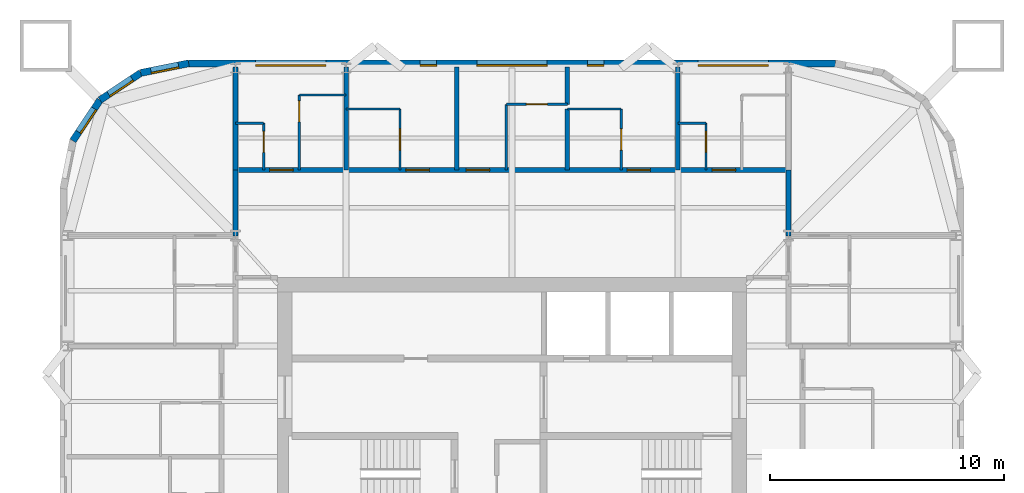
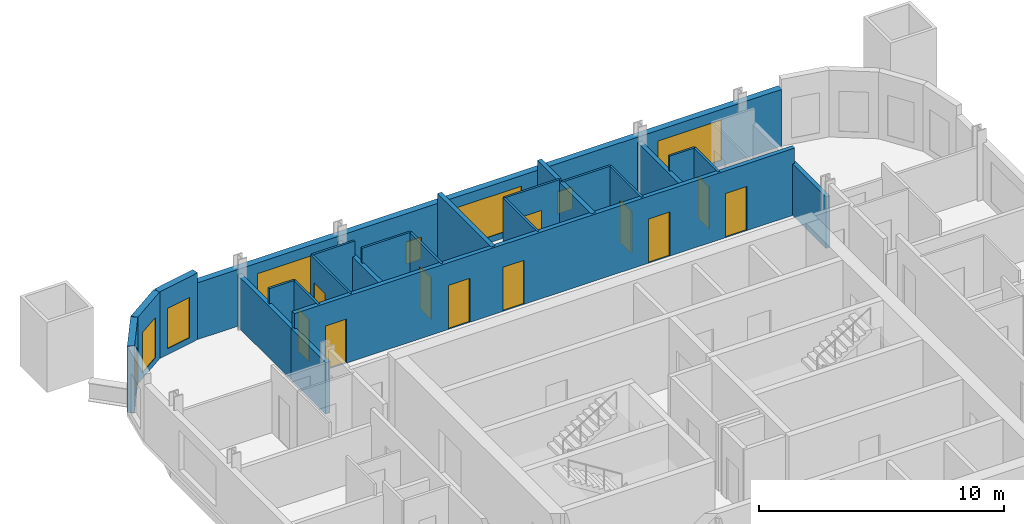
# One storey, part 7 of 9: 25 walls, 11 doors, 8 windows, 19 openings.
"""IFC4 building model written with IfcOpenShell, lengths in metres."""

from ifc_helpers import new_model, si_unit, direction, frame, frame_2d, origin, place, context, subcontext, project, spatial, rectangle, extrude, material, layer, layer_set, type_object, element, fill, save


model = new_model("IFC4")

# Units and contexts
model_context = context("Model", 3, precision=1e-05, world=origin(), true_north=direction((0.0, 1.0)))
body_context = subcontext(model_context, "Body", "Model", "MODEL_VIEW")
ifc_project = project(units=[si_unit("LENGTHUNIT", "METRE"), si_unit("AREAUNIT", "SQUARE_METRE"), si_unit("VOLUMEUNIT", "CUBIC_METRE"), si_unit("PLANEANGLEUNIT", "RADIAN"), si_unit("MASSUNIT", "GRAM", prefix="KILO")], contexts=[model_context])

# Site, building, storey
site_placement = place(None, origin())
site = spatial("IfcSite", under=ifc_project, at=site_placement, CompositionType="ELEMENT")
building_placement = place(site_placement, origin())
building = spatial("IfcBuilding", under=site, at=building_placement, Name="Turquesa Mirador Hotel Tower", CompositionType="ELEMENT")
storey_placement = place(building_placement, frame((0.0, 0.0, 182.800048828125)))
storey = spatial("IfcBuildingStorey", under=building, at=storey_placement, Name="L49", CompositionType="ELEMENT", Elevation=182.800048828125)

# Walls
ifc_material_1 = material(Name="Gypsum board on steel studs", Category="steel")
ifc_layer_1 = layer(ifc_material_1, 0.10009765625)
ifc_layer_set_1 = layer_set([ifc_layer_1], Name="BATHROOM WALL 100")
wall_type_1 = type_object("IfcWallType", Name="BATHROOM WALL 100", PredefinedType="PARTITIONING", material=ifc_layer_set_1)
for number, where, z_axis, x_axis, name in (
    (1, (43.199951171875, 61.60009765625, 0.0), (0.0, 0.0, 1.0), (1.0, 0.0, 0.0), "Partition L49 024"),
    (2, (62.080078125, 61.60009765625, 0.0), (0.0, 0.0, 1.0), (1.0, 0.0, 0.0), "Partition L49 025"),
):
    element("IfcWall", number, at=place(storey_placement, frame(where, z_axis=z_axis, x_axis=x_axis)), inside=storey, type_object=wall_type_1, Name=name, PredefinedType="PARTITIONING", context=body_context, shape_type="SweptSolid", body=[
        extrude(rectangle(XDim=1.199951171875, YDim=0.10009765625, at=frame_2d((0.60009765625, 0.0))), origin(), (0.0, 0.0, 1.0), 3.329833984375),
    ])
wall_1_placement = place(storey_placement, frame((47.919921875, 62.199951171875, 0.0), z_axis=(0.0, 0.0, 1.0), x_axis=(1.0, 0.0, 0.0)))
element("IfcWall", 3, at=wall_1_placement, inside=storey, type_object=wall_type_1, Name="Partition L49 026", PredefinedType="PARTITIONING", context=body_context, shape_type="SweptSolid", body=[
    extrude(rectangle(XDim=2.300048828125, YDim=0.10009765625, at=frame_2d((1.14990234375, 0.0))), origin(), (0.0, 0.0, 1.0), 3.329833984375),
])
wall_2_placement = place(storey_placement, frame((57.360107421875, 62.199951171875, 0.0), z_axis=(0.0, 0.0, 1.0), x_axis=(1.0, 0.0, 0.0)))
element("IfcWall", 4, at=wall_2_placement, inside=storey, type_object=wall_type_1, Name="Partition L49 027", PredefinedType="PARTITIONING", context=body_context, shape_type="SweptSolid", body=[
    extrude(rectangle(XDim=2.2998046875, YDim=0.10009765625, at=frame_2d((1.14990234375, 0.0))), origin(), (0.0, 0.0, 1.0), 3.329833984375),
])

# Wall, opening, door
wall_3_placement = place(storey_placement, frame((54.760009765625, 62.39990234375, 0.0), z_axis=(0.0, 0.0, 1.0), x_axis=(1.0, 0.0, 0.0)))
wall_3 = element("IfcWall", 5, at=wall_3_placement, inside=storey, type_object=wall_type_1, Name="Partition L49 028", PredefinedType="PARTITIONING", context=body_context, shape_type="SweptSolid", body=[
    extrude(rectangle(XDim=2.60009765625, YDim=0.10009765625, at=frame_2d((1.300048828125, 0.0))), origin(), (0.0, 0.0, 1.0), 3.329833984375),
])
opening_1_placement = place(wall_3_placement, frame((0.85009765625, 0.0, 0.0)))
opening_1 = element("IfcOpeningElement", 6, at=opening_1_placement, cuts=wall_3, Name="Opening D02", PredefinedType="OPENING", context=body_context, shape_type="SweptSolid", body=[
    extrude(rectangle(XDim=0.89990234375, YDim=2.10009765625, at=frame_2d((0.449951171875, 1.050048828125))), frame((0.0, 0.06005859375, 0.0), z_axis=(0.0, -1.0, 0.0), x_axis=(1.0, 0.0, 0.0)), (0.0, 0.0, 1.0), 0.1201171875),
])
ifc_material_2 = material(Name="Timber veneered door", Category="wood")
door_type_1 = type_object("IfcDoorType", Name="DOOR 900X2100 EN-SUITE", OperationType="SINGLE_SWING_RIGHT", PredefinedType="DOOR", material=ifc_material_2)
door_1_placement = place(opening_1_placement, origin())
door_1 = element("IfcDoor", 7, at=door_1_placement, inside=storey, type_object=door_type_1, Name="Door 4903B", OperationType="SINGLE_SWING_RIGHT", OverallHeight=2.10009765625, OverallWidth=0.89990234375, PredefinedType="DOOR", context=body_context, shape_type="SweptSolid", body=[
    extrude(rectangle(XDim=0.89990234375, YDim=2.10009765625, at=frame_2d((0.449951171875, 1.050048828125))), frame((0.0, 0.02490234375, 0.0), z_axis=(0.0, -1.0, 0.0), x_axis=(1.0, 0.0, 0.0)), (0.0, 0.0, 1.0), 0.050048828125),
])
fill(opening_1, door_1)

# Walls
wall_4_placement = place(storey_placement, frame((45.919921875, 62.800048828125, 0.0), z_axis=(0.0, 0.0, 1.0), x_axis=(1.0, 0.0, 0.0)))
element("IfcWall", 8, at=wall_4_placement, inside=storey, type_object=wall_type_1, Name="Partition L49 029", PredefinedType="PARTITIONING", context=body_context, shape_type="SweptSolid", body=[
    extrude(rectangle(XDim=2.0, YDim=0.10009765625, at=frame_2d((1.0, 0.0))), origin(), (0.0, 0.0, 1.0), 3.329833984375),
])
wall_5_placement = place(storey_placement, frame((54.760009765625, 59.60009765625, 0.0), z_axis=(0.0, 0.0, 1.0), x_axis=(0.0, 1.0, 0.0)))
element("IfcWall", 9, at=wall_5_placement, inside=storey, type_object=wall_type_1, Name="Partition L49 042", PredefinedType="PARTITIONING", context=body_context, shape_type="SweptSolid", body=[
    extrude(rectangle(XDim=2.7998046875, YDim=0.10009765625, at=frame_2d((1.39990234375, 0.0))), origin(), (0.0, 0.0, 1.0), 3.329833984375),
])

# Wall, opening, door
wall_6_placement = place(storey_placement, frame((44.39990234375, 59.60009765625, 0.0), z_axis=(0.0, 0.0, 1.0), x_axis=(0.0, 1.0, 0.0)))
wall_6 = element("IfcWall", 10, at=wall_6_placement, inside=storey, type_object=wall_type_1, Name="Partition L49 043", PredefinedType="PARTITIONING", context=body_context, shape_type="SweptSolid", body=[
    extrude(rectangle(XDim=2.0, YDim=0.10009765625, at=frame_2d((1.0, 0.0))), origin(), (0.0, 0.0, 1.0), 3.329833984375),
])
opening_2_placement = place(wall_6_placement, frame((0.75, 0.0, 0.0)))
opening_2 = element("IfcOpeningElement", 11, at=opening_2_placement, cuts=wall_6, Name="Opening D06", PredefinedType="OPENING", context=body_context, shape_type="SweptSolid", body=[
    extrude(rectangle(XDim=0.89990234375, YDim=2.10009765625, at=frame_2d((0.449951171875, 1.050048828125))), frame((0.0, 0.06005859375, 0.0), z_axis=(0.0, -1.0, 0.0), x_axis=(1.0, 0.0, 0.0)), (0.0, 0.0, 1.0), 0.1201171875),
])
ifc_material_3 = material(Name="Laminate door", Category="wood")
door_type_2 = type_object("IfcDoorType", Name="DOOR 900X2100 WC", OperationType="SINGLE_SWING_LEFT", PredefinedType="DOOR", material=ifc_material_3)
door_2_placement = place(opening_2_placement, origin())
door_2 = element("IfcDoor", 12, at=door_2_placement, inside=storey, type_object=door_type_2, Name="Door 4901W", OperationType="SINGLE_SWING_LEFT", OverallHeight=2.10009765625, OverallWidth=0.89990234375, PredefinedType="DOOR", context=body_context, shape_type="SweptSolid", body=[
    extrude(rectangle(XDim=0.89990234375, YDim=2.10009765625, at=frame_2d((0.449951171875, 1.050048828125))), frame((0.0, 0.02490234375, 0.0), z_axis=(0.0, -1.0, 0.0), x_axis=(1.0, 0.0, 0.0)), (0.0, 0.0, 1.0), 0.050048828125),
])
fill(opening_2, door_2)

wall_7_placement = place(storey_placement, frame((50.219970703125, 59.60009765625, 0.0), z_axis=(0.0, 0.0, 1.0), x_axis=(0.0, 1.0, 0.0)))
wall_7 = element("IfcWall", 13, at=wall_7_placement, inside=storey, type_object=wall_type_1, Name="Partition L49 059", PredefinedType="PARTITIONING", context=body_context, shape_type="SweptSolid", body=[
    extrude(rectangle(XDim=2.599853515625, YDim=0.10009765625, at=frame_2d((1.2998046875, 0.0))), origin(), (0.0, 0.0, 1.0), 3.329833984375),
])
opening_3_placement = place(wall_7_placement, frame((0.85009765625, 0.0, 0.0)))
opening_3 = element("IfcOpeningElement", 14, at=opening_3_placement, cuts=wall_7, Name="Opening D02", PredefinedType="OPENING", context=body_context, shape_type="SweptSolid", body=[
    extrude(rectangle(XDim=0.89990234375, YDim=2.10009765625, at=frame_2d((0.449951171875, 1.050048828125))), frame((0.0, 0.06005859375, 0.0), z_axis=(0.0, -1.0, 0.0), x_axis=(1.0, 0.0, 0.0)), (0.0, 0.0, 1.0), 0.1201171875),
])
door_3_placement = place(opening_3_placement, origin())
door_3 = element("IfcDoor", 15, at=door_3_placement, inside=storey, type_object=door_type_1, Name="Door 4902B", OperationType="SINGLE_SWING_RIGHT", OverallHeight=2.10009765625, OverallWidth=0.89990234375, PredefinedType="DOOR", context=body_context, shape_type="SweptSolid", body=[
    extrude(rectangle(XDim=0.89990234375, YDim=2.10009765625, at=frame_2d((0.449951171875, 1.050048828125))), frame((0.0, 0.02490234375, 0.0), z_axis=(0.0, -1.0, 0.0), x_axis=(1.0, 0.0, 0.0)), (0.0, 0.0, 1.0), 0.050048828125),
])
fill(opening_3, door_3)

wall_8_placement = place(storey_placement, frame((45.919921875, 59.60009765625, 0.0), z_axis=(0.0, 0.0, 1.0), x_axis=(0.0, 1.0, 0.0)))
wall_8 = element("IfcWall", 16, at=wall_8_placement, inside=storey, type_object=wall_type_1, Name="Partition L49 061", PredefinedType="PARTITIONING", context=body_context, shape_type="SweptSolid", body=[
    extrude(rectangle(XDim=3.199951171875, YDim=0.10009765625, at=frame_2d((1.60009765625, 0.0))), origin(), (0.0, 0.0, 1.0), 3.329833984375),
])
opening_4_placement = place(wall_8_placement, frame((2.050048828125, 0.0, 0.0)))
opening_4 = element("IfcOpeningElement", 17, at=opening_4_placement, cuts=wall_8, Name="Opening D02", PredefinedType="OPENING", context=body_context, shape_type="SweptSolid", body=[
    extrude(rectangle(XDim=0.89990234375, YDim=2.10009765625, at=frame_2d((0.449951171875, 1.050048828125))), frame((0.0, 0.06005859375, 0.0), z_axis=(0.0, -1.0, 0.0), x_axis=(1.0, 0.0, 0.0)), (0.0, 0.0, 1.0), 0.1201171875),
])
door_4_placement = place(opening_4_placement, origin())
door_4 = element("IfcDoor", 18, at=door_4_placement, inside=storey, type_object=door_type_1, Name="Door 4901B", OperationType="SINGLE_SWING_RIGHT", OverallHeight=2.10009765625, OverallWidth=0.89990234375, PredefinedType="DOOR", context=body_context, shape_type="SweptSolid", body=[
    extrude(rectangle(XDim=0.89990234375, YDim=2.10009765625, at=frame_2d((0.449951171875, 1.050048828125))), frame((0.0, 0.02490234375, 0.0), z_axis=(0.0, -1.0, 0.0), x_axis=(1.0, 0.0, 0.0)), (0.0, 0.0, 1.0), 0.050048828125),
])
fill(opening_4, door_4)

wall_9_placement = place(storey_placement, frame((59.659912109375, 59.60009765625, 0.0), z_axis=(0.0, 0.0, 1.0), x_axis=(0.0, 1.0, 0.0)))
wall_9 = element("IfcWall", 19, at=wall_9_placement, inside=storey, type_object=wall_type_1, Name="Partition L49 079", PredefinedType="PARTITIONING", context=body_context, shape_type="SweptSolid", body=[
    extrude(rectangle(XDim=2.599853515625, YDim=0.10009765625, at=frame_2d((1.2998046875, 0.0))), origin(), (0.0, 0.0, 1.0), 3.329833984375),
])
opening_5_placement = place(wall_9_placement, frame((0.85009765625, 0.0, 0.0)))
opening_5 = element("IfcOpeningElement", 20, at=opening_5_placement, cuts=wall_9, Name="Opening D02", PredefinedType="OPENING", context=body_context, shape_type="SweptSolid", body=[
    extrude(rectangle(XDim=0.89990234375, YDim=2.10009765625, at=frame_2d((0.449951171875, 1.050048828125))), frame((0.0, 0.06005859375, 0.0), z_axis=(0.0, -1.0, 0.0), x_axis=(1.0, 0.0, 0.0)), (0.0, 0.0, 1.0), 0.1201171875),
])
door_5_placement = place(opening_5_placement, origin())
door_5 = element("IfcDoor", 21, at=door_5_placement, inside=storey, type_object=door_type_1, Name="Door 4904B", OperationType="SINGLE_SWING_RIGHT", OverallHeight=2.10009765625, OverallWidth=0.89990234375, PredefinedType="DOOR", context=body_context, shape_type="SweptSolid", body=[
    extrude(rectangle(XDim=0.89990234375, YDim=2.10009765625, at=frame_2d((0.449951171875, 1.050048828125))), frame((0.0, 0.02490234375, 0.0), z_axis=(0.0, -1.0, 0.0), x_axis=(1.0, 0.0, 0.0)), (0.0, 0.0, 1.0), 0.050048828125),
])
fill(opening_5, door_5)

wall_10_placement = place(storey_placement, frame((63.280029296875, 59.60009765625, 0.0), z_axis=(0.0, 0.0, 1.0), x_axis=(0.0, 1.0, 0.0)))
wall_10 = element("IfcWall", 22, at=wall_10_placement, inside=storey, type_object=wall_type_1, Name="Partition L49 082", PredefinedType="PARTITIONING", context=body_context, shape_type="SweptSolid", body=[
    extrude(rectangle(XDim=2.0, YDim=0.10009765625, at=frame_2d((1.0, 0.0))), origin(), (0.0, 0.0, 1.0), 3.329833984375),
])
opening_6_placement = place(wall_10_placement, frame((0.75, 0.0, 0.0)))
opening_6 = element("IfcOpeningElement", 23, at=opening_6_placement, cuts=wall_10, Name="Opening D06", PredefinedType="OPENING", context=body_context, shape_type="SweptSolid", body=[
    extrude(rectangle(XDim=0.89990234375, YDim=2.10009765625, at=frame_2d((0.449951171875, 1.050048828125))), frame((0.0, 0.06005859375, 0.0), z_axis=(0.0, -1.0, 0.0), x_axis=(1.0, 0.0, 0.0)), (0.0, 0.0, 1.0), 0.1201171875),
])
door_6_placement = place(opening_6_placement, origin())
door_6 = element("IfcDoor", 24, at=door_6_placement, inside=storey, type_object=door_type_2, Name="Door 4905W", OperationType="SINGLE_SWING_LEFT", OverallHeight=2.10009765625, OverallWidth=0.89990234375, PredefinedType="DOOR", context=body_context, shape_type="SweptSolid", body=[
    extrude(rectangle(XDim=0.89990234375, YDim=2.10009765625, at=frame_2d((0.449951171875, 1.050048828125))), frame((0.0, 0.02490234375, 0.0), z_axis=(0.0, -1.0, 0.0), x_axis=(1.0, 0.0, 0.0)), (0.0, 0.0, 1.0), 0.050048828125),
])
fill(opening_6, door_6)

# Wall, openings, doors
ifc_material_4 = material(Name="Fire-rated gypsum board on steel studs", Category="steel")
ifc_layer_2 = layer(ifc_material_4, 0.199951171875)
ifc_layer_set_2 = layer_set([ifc_layer_2], Name="CORRIDOR WALL 200")
wall_type_2 = type_object("IfcWallType", Name="CORRIDOR WALL 200", PredefinedType="PARTITIONING", material=ifc_layer_set_2)
wall_11_placement = place(storey_placement, frame((43.199951171875, 59.60009765625, 0.0), z_axis=(0.0, 0.0, 1.0), x_axis=(1.0, 0.0, 0.0)))
wall_11 = element("IfcWall", 25, at=wall_11_placement, inside=storey, type_object=wall_type_2, Name="Partition L49 023", PredefinedType="PARTITIONING", context=body_context, shape_type="SweptSolid", body=[
    extrude(rectangle(XDim=23.60009765625, YDim=0.199951171875, at=frame_2d((11.800048828125, 0.0))), origin(), (0.0, 0.0, 1.0), 3.329833984375),
])
opening_7_placement = place(wall_11_placement, frame((1.4599609375, 0.0, 0.0)))
opening_7 = element("IfcOpeningElement", 26, at=opening_7_placement, cuts=wall_11, Name="Opening D01", PredefinedType="OPENING", context=body_context, shape_type="SweptSolid", body=[
    extrude(rectangle(XDim=1.0, YDim=2.199951171875, at=frame_2d((0.5, 1.10009765625))), frame((0.0, 0.10986328125, 0.0), z_axis=(0.0, -1.0, 0.0), x_axis=(1.0, 0.0, 0.0)), (0.0, 0.0, 1.0), 0.219970703125),
])
opening_8_placement = place(wall_11_placement, frame((7.27001953125, 0.0, 0.0)))
opening_8 = element("IfcOpeningElement", 27, at=opening_8_placement, cuts=wall_11, Name="Opening D01", PredefinedType="OPENING", context=body_context, shape_type="SweptSolid", body=[
    extrude(rectangle(XDim=1.0, YDim=2.199951171875, at=frame_2d((0.5, 1.10009765625))), frame((0.0, 0.10986328125, 0.0), z_axis=(0.0, -1.0, 0.0), x_axis=(1.0, 0.0, 0.0)), (0.0, 0.0, 1.0), 0.219970703125),
])
opening_9_placement = place(wall_11_placement, frame((9.840087890625, 0.0, 0.0)))
opening_9 = element("IfcOpeningElement", 28, at=opening_9_placement, cuts=wall_11, Name="Opening D01", PredefinedType="OPENING", context=body_context, shape_type="SweptSolid", body=[
    extrude(rectangle(XDim=1.0, YDim=2.199951171875, at=frame_2d((0.5, 1.10009765625))), frame((0.0, 0.10986328125, 0.0), z_axis=(0.0, -1.0, 0.0), x_axis=(1.0, 0.0, 0.0)), (0.0, 0.0, 1.0), 0.219970703125),
])
opening_10_placement = place(wall_11_placement, frame((16.7099609375, 0.0, 0.0)))
opening_10 = element("IfcOpeningElement", 29, at=opening_10_placement, cuts=wall_11, Name="Opening D01", PredefinedType="OPENING", context=body_context, shape_type="SweptSolid", body=[
    extrude(rectangle(XDim=1.0, YDim=2.199951171875, at=frame_2d((0.5, 1.10009765625))), frame((0.0, 0.10986328125, 0.0), z_axis=(0.0, -1.0, 0.0), x_axis=(1.0, 0.0, 0.0)), (0.0, 0.0, 1.0), 0.219970703125),
])
opening_11_placement = place(wall_11_placement, frame((20.340087890625, 0.0, 0.0)))
opening_11 = element("IfcOpeningElement", 30, at=opening_11_placement, cuts=wall_11, Name="Opening D01", PredefinedType="OPENING", context=body_context, shape_type="SweptSolid", body=[
    extrude(rectangle(XDim=1.0, YDim=2.199951171875, at=frame_2d((0.5, 1.10009765625))), frame((0.0, 0.10986328125, 0.0), z_axis=(0.0, -1.0, 0.0), x_axis=(1.0, 0.0, 0.0)), (0.0, 0.0, 1.0), 0.219970703125),
])
ifc_material_5 = material(Name="Timber veneered fire door", Category="wood")
door_type_3 = type_object("IfcDoorType", Name="DOOR 1000X2200 GUEST ENTRY", OperationType="SINGLE_SWING_LEFT", PredefinedType="DOOR", material=ifc_material_5)
door_7_placement = place(opening_7_placement, origin())
door_7 = element("IfcDoor", 31, at=door_7_placement, inside=storey, type_object=door_type_3, Name="Door 4901", OperationType="SINGLE_SWING_LEFT", OverallHeight=2.199951171875, OverallWidth=1.0, PredefinedType="DOOR", context=body_context, shape_type="SweptSolid", body=[
    extrude(rectangle(XDim=1.0, YDim=2.199951171875, at=frame_2d((0.5, 1.10009765625))), frame((0.0, 0.02490234375, 0.0), z_axis=(0.0, -1.0, 0.0), x_axis=(1.0, 0.0, 0.0)), (0.0, 0.0, 1.0), 0.050048828125),
])
fill(opening_7, door_7)
door_8_placement = place(opening_8_placement, origin())
door_8 = element("IfcDoor", 32, at=door_8_placement, inside=storey, type_object=door_type_3, Name="Door 4902", OperationType="SINGLE_SWING_LEFT", OverallHeight=2.199951171875, OverallWidth=1.0, PredefinedType="DOOR", context=body_context, shape_type="SweptSolid", body=[
    extrude(rectangle(XDim=1.0, YDim=2.199951171875, at=frame_2d((0.5, 1.10009765625))), frame((0.0, 0.02490234375, 0.0), z_axis=(0.0, -1.0, 0.0), x_axis=(1.0, 0.0, 0.0)), (0.0, 0.0, 1.0), 0.050048828125),
])
fill(opening_8, door_8)
door_9_placement = place(opening_9_placement, origin())
door_9 = element("IfcDoor", 33, at=door_9_placement, inside=storey, type_object=door_type_3, Name="Door 4903", OperationType="SINGLE_SWING_LEFT", OverallHeight=2.199951171875, OverallWidth=1.0, PredefinedType="DOOR", context=body_context, shape_type="SweptSolid", body=[
    extrude(rectangle(XDim=1.0, YDim=2.199951171875, at=frame_2d((0.5, 1.10009765625))), frame((0.0, 0.02490234375, 0.0), z_axis=(0.0, -1.0, 0.0), x_axis=(1.0, 0.0, 0.0)), (0.0, 0.0, 1.0), 0.050048828125),
])
fill(opening_9, door_9)
door_10_placement = place(opening_10_placement, origin())
door_10 = element("IfcDoor", 34, at=door_10_placement, inside=storey, type_object=door_type_3, Name="Door 4904", OperationType="SINGLE_SWING_LEFT", OverallHeight=2.199951171875, OverallWidth=1.0, PredefinedType="DOOR", context=body_context, shape_type="SweptSolid", body=[
    extrude(rectangle(XDim=1.0, YDim=2.199951171875, at=frame_2d((0.5, 1.10009765625))), frame((0.0, 0.02490234375, 0.0), z_axis=(0.0, -1.0, 0.0), x_axis=(1.0, 0.0, 0.0)), (0.0, 0.0, 1.0), 0.050048828125),
])
fill(opening_10, door_10)
door_11_placement = place(opening_11_placement, origin())
door_11 = element("IfcDoor", 35, at=door_11_placement, inside=storey, type_object=door_type_3, Name="Door 4905", OperationType="SINGLE_SWING_LEFT", OverallHeight=2.199951171875, OverallWidth=1.0, PredefinedType="DOOR", context=body_context, shape_type="SweptSolid", body=[
    extrude(rectangle(XDim=1.0, YDim=2.199951171875, at=frame_2d((0.5, 1.10009765625))), frame((0.0, 0.02490234375, 0.0), z_axis=(0.0, -1.0, 0.0), x_axis=(1.0, 0.0, 0.0)), (0.0, 0.0, 1.0), 0.050048828125),
])
fill(opening_11, door_11)

# Walls
for number, where, z_axis, x_axis, name in (
    (36, (43.199951171875, 56.780029296875, 0.0), (0.0, 0.0, 1.0), (0.0, 1.0, 0.0), "Partition L49 085"),
    (37, (66.800048828125, 56.780029296875, 0.0), (0.0, 0.0, 1.0), (0.0, 1.0, 0.0), "Partition L49 086"),
):
    element("IfcWall", number, at=place(storey_placement, frame(where, z_axis=z_axis, x_axis=x_axis)), inside=storey, type_object=wall_type_2, Name=name, PredefinedType="PARTITIONING", context=body_context, shape_type="SweptSolid", body=[
        extrude(rectangle(XDim=2.820068359375, YDim=0.199951171875, at=frame_2d((1.41015625, 0.0))), origin(), (0.0, 0.0, 1.0), 2.572998046875),
    ])

# Wall, openings, windows
ifc_material_6 = material(Name="Limestone cladding on concrete block", Category="masonry")
ifc_layer_3 = layer(ifc_material_6, 0.300048828125)
ifc_layer_set_3 = layer_set([ifc_layer_3], Name="FACADE WALL 300 STONE SCREEN")
wall_type_3 = type_object("IfcWallType", Name="FACADE WALL 300 STONE SCREEN", PredefinedType="SOLIDWALL", material=ifc_layer_set_3)
wall_12_placement = place(storey_placement, frame((68.800048828125, 64.14990234375, 0.0), z_axis=(0.0, 0.0, 1.0), x_axis=(-1.0, 0.0, 0.0)))
wall_12 = element("IfcWall", 38, at=wall_12_placement, inside=storey, type_object=wall_type_3, Name="Facade wall L49 09", PredefinedType="SOLIDWALL", context=body_context, shape_type="SweptSolid", body=[
    extrude(rectangle(XDim=27.60009765625, YDim=0.300048828125, at=frame_2d((13.800048828125, 0.0))), origin(), (0.0, 0.0, 1.0), 2.829833984375),
])
opening_12_placement = place(wall_12_placement, frame((2.860107421875, 0.0, 0.300048828125)))
opening_12 = element("IfcOpeningElement", 39, at=opening_12_placement, cuts=wall_12, Name="Opening WN1", PredefinedType="OPENING", context=body_context, shape_type="SweptSolid", body=[
    extrude(rectangle(XDim=3.0, YDim=2.0, at=frame_2d((1.5, 1.0))), frame((0.0, 0.159912109375, 0.0), z_axis=(0.0, -1.0, 0.0), x_axis=(1.0, 0.0, 0.0)), (0.0, 0.0, 1.0), 0.320068359375),
])
opening_13_placement = place(wall_12_placement, frame((9.8798828125, 0.0, 0.300048828125)))
opening_13 = element("IfcOpeningElement", 40, at=opening_13_placement, cuts=wall_12, Name="Opening WN33", PredefinedType="OPENING", context=body_context, shape_type="SweptSolid", body=[
    extrude(rectangle(XDim=0.699951171875, YDim=1.10009765625, at=frame_2d((0.35009765625, 0.550048828125))), frame((0.0, 0.159912109375, 0.0), z_axis=(0.0, -1.0, 0.0), x_axis=(1.0, 0.0, 0.0)), (0.0, 0.0, 1.0), 0.320068359375),
])
opening_14_placement = place(wall_12_placement, frame((12.300048828125, 0.0, 0.300048828125)))
opening_14 = element("IfcOpeningElement", 41, at=opening_14_placement, cuts=wall_12, Name="Opening WN1", PredefinedType="OPENING", context=body_context, shape_type="SweptSolid", body=[
    extrude(rectangle(XDim=3.0, YDim=2.0, at=frame_2d((1.5, 1.0))), frame((0.0, 0.159912109375, 0.0), z_axis=(0.0, -1.0, 0.0), x_axis=(1.0, 0.0, 0.0)), (0.0, 0.0, 1.0), 0.320068359375),
])
opening_15_placement = place(wall_12_placement, frame((17.02001953125, 0.0, 0.300048828125)))
opening_15 = element("IfcOpeningElement", 42, at=opening_15_placement, cuts=wall_12, Name="Opening WN33", PredefinedType="OPENING", context=body_context, shape_type="SweptSolid", body=[
    extrude(rectangle(XDim=0.699951171875, YDim=1.10009765625, at=frame_2d((0.35009765625, 0.550048828125))), frame((0.0, 0.159912109375, 0.0), z_axis=(0.0, -1.0, 0.0), x_axis=(1.0, 0.0, 0.0)), (0.0, 0.0, 1.0), 0.320068359375),
])
opening_16_placement = place(wall_12_placement, frame((21.739990234375, 0.0, 0.300048828125)))
opening_16 = element("IfcOpeningElement", 43, at=opening_16_placement, cuts=wall_12, Name="Opening WN1", PredefinedType="OPENING", context=body_context, shape_type="SweptSolid", body=[
    extrude(rectangle(XDim=3.0, YDim=2.0, at=frame_2d((1.5, 1.0))), frame((0.0, 0.159912109375, 0.0), z_axis=(0.0, -1.0, 0.0), x_axis=(1.0, 0.0, 0.0)), (0.0, 0.0, 1.0), 0.320068359375),
])
ifc_material_7 = material(Name="Ceramic-fritted laminated glass", Category="glass")
window_type_1 = type_object("IfcWindowType", Name="FRITTED WINDOW 3000X2000", PartitioningType="DOUBLE_PANEL_HORIZONTAL", PredefinedType="WINDOW", material=ifc_material_7)
window_1_placement = place(opening_12_placement, origin())
window_1 = element("IfcWindow", 44, at=window_1_placement, inside=storey, type_object=window_type_1, Name="Window L49", OverallHeight=2.0, OverallWidth=3.0, PartitioningType="SINGLE_PANEL", PredefinedType="WINDOW", context=body_context, shape_type="SweptSolid", body=[
    extrude(rectangle(XDim=3.0, YDim=2.0, at=frame_2d((1.5, 1.0))), frame((0.0, 0.130126953125, 0.0), z_axis=(0.0, -1.0, 0.0), x_axis=(1.0, 0.0, 0.0)), (0.0, 0.0, 1.0), 0.06005859375),
])
fill(opening_12, window_1)
window_2_placement = place(opening_14_placement, origin())
window_2 = element("IfcWindow", 45, at=window_2_placement, inside=storey, type_object=window_type_1, Name="Window L49", OverallHeight=2.0, OverallWidth=3.0, PartitioningType="SINGLE_PANEL", PredefinedType="WINDOW", context=body_context, shape_type="SweptSolid", body=[
    extrude(rectangle(XDim=3.0, YDim=2.0, at=frame_2d((1.5, 1.0))), frame((0.0, 0.130126953125, 0.0), z_axis=(0.0, -1.0, 0.0), x_axis=(1.0, 0.0, 0.0)), (0.0, 0.0, 1.0), 0.06005859375),
])
fill(opening_14, window_2)
window_3_placement = place(opening_16_placement, origin())
window_3 = element("IfcWindow", 46, at=window_3_placement, inside=storey, type_object=window_type_1, Name="Window L49", OverallHeight=2.0, OverallWidth=3.0, PartitioningType="SINGLE_PANEL", PredefinedType="WINDOW", context=body_context, shape_type="SweptSolid", body=[
    extrude(rectangle(XDim=3.0, YDim=2.0, at=frame_2d((1.5, 1.0))), frame((0.0, 0.130126953125, 0.0), z_axis=(0.0, -1.0, 0.0), x_axis=(1.0, 0.0, 0.0)), (0.0, 0.0, 1.0), 0.06005859375),
])
fill(opening_16, window_3)
ifc_material_8 = material(Name="Ceramic-fritted laminated glass", Category="glass")
window_type_2 = type_object("IfcWindowType", Name="FRITTED WINDOW 700X1100", PartitioningType="DOUBLE_PANEL_HORIZONTAL", PredefinedType="WINDOW", material=ifc_material_8)
window_4_placement = place(opening_13_placement, origin())
window_4 = element("IfcWindow", 47, at=window_4_placement, inside=storey, type_object=window_type_2, Name="Window L49", OverallHeight=1.10009765625, OverallWidth=0.699951171875, PartitioningType="SINGLE_PANEL", PredefinedType="WINDOW", context=body_context, shape_type="SweptSolid", body=[
    extrude(rectangle(XDim=0.699951171875, YDim=1.10009765625, at=frame_2d((0.35009765625, 0.550048828125))), frame((0.0, 0.130126953125, 0.0), z_axis=(0.0, -1.0, 0.0), x_axis=(1.0, 0.0, 0.0)), (0.0, 0.0, 1.0), 0.06005859375),
])
fill(opening_13, window_4)
window_5_placement = place(opening_15_placement, origin())
window_5 = element("IfcWindow", 48, at=window_5_placement, inside=storey, type_object=window_type_2, Name="Window L49", OverallHeight=1.10009765625, OverallWidth=0.699951171875, PartitioningType="SINGLE_PANEL", PredefinedType="WINDOW", context=body_context, shape_type="SweptSolid", body=[
    extrude(rectangle(XDim=0.699951171875, YDim=1.10009765625, at=frame_2d((0.35009765625, 0.550048828125))), frame((0.0, 0.130126953125, 0.0), z_axis=(0.0, -1.0, 0.0), x_axis=(1.0, 0.0, 0.0)), (0.0, 0.0, 1.0), 0.06005859375),
])
fill(opening_15, window_5)

# Wall, opening, window
wall_13_placement = place(storey_placement, frame((41.199951171875, 64.14990234375, 0.0), z_axis=(0.0, 0.0, 1.0), x_axis=(-0.980787050784, -0.195081421501, 0.0)))
wall_13 = element("IfcWall", 49, at=wall_13_placement, inside=storey, type_object=wall_type_3, Name="Facade wall L49 10", PredefinedType="SOLIDWALL", context=body_context, shape_type="SweptSolid", body=[
    extrude(rectangle(XDim=2.08740234375, YDim=0.300048828125, at=frame_2d((1.043701171875, 0.0))), origin(), (0.0, 0.0, 1.0), 3.329833984375),
])
opening_17_placement = place(wall_13_placement, frame((0.443603515625, 0.0, 0.300048828125)))
opening_17 = element("IfcOpeningElement", 50, at=opening_17_placement, cuts=wall_13, Name="Opening WN4", PredefinedType="OPENING", context=body_context, shape_type="SweptSolid", body=[
    extrude(rectangle(XDim=1.199951171875, YDim=2.0, at=frame_2d((0.60009765625, 1.0))), frame((0.0, 0.159912109375, 0.0), z_axis=(0.0, -1.0, 0.0), x_axis=(1.0, 0.0, 0.0)), (0.0, 0.0, 1.0), 0.320068359375),
])
ifc_material_9 = material(Name="Ceramic-fritted laminated glass", Category="glass")
window_type_3 = type_object("IfcWindowType", Name="FRITTED CORNER WINDOW 1200X2000", PartitioningType="DOUBLE_PANEL_HORIZONTAL", PredefinedType="WINDOW", material=ifc_material_9)
window_6_placement = place(opening_17_placement, origin())
window_6 = element("IfcWindow", 51, at=window_6_placement, inside=storey, type_object=window_type_3, Name="Window L49", OverallHeight=2.0, OverallWidth=1.199951171875, PartitioningType="SINGLE_PANEL", PredefinedType="WINDOW", context=body_context, shape_type="SweptSolid", body=[
    extrude(rectangle(XDim=1.199951171875, YDim=2.0, at=frame_2d((0.60009765625, 1.0))), frame((0.0, 0.130126953125, 0.0), z_axis=(0.0, -1.0, 0.0), x_axis=(1.0, 0.0, 0.0)), (0.0, 0.0, 1.0), 0.06005859375),
])
fill(opening_17, window_6)

wall_14_placement = place(storey_placement, frame((39.152587890625, 63.74267578125, 0.0), z_axis=(0.0, 0.0, 1.0), x_axis=(-0.831474039234, -0.555563607591, 0.0)))
wall_14 = element("IfcWall", 52, at=wall_14_placement, inside=storey, type_object=wall_type_3, Name="Facade wall L49 11", PredefinedType="SOLIDWALL", context=body_context, shape_type="SweptSolid", body=[
    extrude(rectangle(XDim=2.08740234375, YDim=0.300048828125, at=frame_2d((1.043701171875, 0.0))), origin(), (0.0, 0.0, 1.0), 3.329833984375),
])
opening_18_placement = place(wall_14_placement, frame((0.443603515625, 0.0, 0.300048828125)))
opening_18 = element("IfcOpeningElement", 53, at=opening_18_placement, cuts=wall_14, Name="Opening WN4", PredefinedType="OPENING", context=body_context, shape_type="SweptSolid", body=[
    extrude(rectangle(XDim=1.199951171875, YDim=2.0, at=frame_2d((0.60009765625, 1.0))), frame((0.0, 0.159912109375, 0.0), z_axis=(0.0, -1.0, 0.0), x_axis=(1.0, 0.0, 0.0)), (0.0, 0.0, 1.0), 0.320068359375),
])
window_7_placement = place(opening_18_placement, origin())
window_7 = element("IfcWindow", 54, at=window_7_placement, inside=storey, type_object=window_type_3, Name="Window L49", OverallHeight=2.0, OverallWidth=1.199951171875, PartitioningType="SINGLE_PANEL", PredefinedType="WINDOW", context=body_context, shape_type="SweptSolid", body=[
    extrude(rectangle(XDim=1.199951171875, YDim=2.0, at=frame_2d((0.60009765625, 1.0))), frame((0.0, 0.130126953125, 0.0), z_axis=(0.0, -1.0, 0.0), x_axis=(1.0, 0.0, 0.0)), (0.0, 0.0, 1.0), 0.06005859375),
])
fill(opening_18, window_7)

wall_15_placement = place(storey_placement, frame((37.4169921875, 62.5830078125, 0.0), z_axis=(0.0, 0.0, 1.0), x_axis=(-0.555563607591, -0.831474039234, 0.0)))
wall_15 = element("IfcWall", 55, at=wall_15_placement, inside=storey, type_object=wall_type_3, Name="Facade wall L49 12", PredefinedType="SOLIDWALL", context=body_context, shape_type="SweptSolid", body=[
    extrude(rectangle(XDim=2.08740234375, YDim=0.300048828125, at=frame_2d((1.043701171875, 0.0))), origin(), (0.0, 0.0, 1.0), 3.329833984375),
])
opening_19_placement = place(wall_15_placement, frame((0.443603515625, 0.0, 0.300048828125)))
opening_19 = element("IfcOpeningElement", 56, at=opening_19_placement, cuts=wall_15, Name="Opening WN4", PredefinedType="OPENING", context=body_context, shape_type="SweptSolid", body=[
    extrude(rectangle(XDim=1.199951171875, YDim=2.0, at=frame_2d((0.60009765625, 1.0))), frame((0.0, 0.159912109375, 0.0), z_axis=(0.0, -1.0, 0.0), x_axis=(1.0, 0.0, 0.0)), (0.0, 0.0, 1.0), 0.320068359375),
])
window_8_placement = place(opening_19_placement, origin())
window_8 = element("IfcWindow", 57, at=window_8_placement, inside=storey, type_object=window_type_3, Name="Window L49", OverallHeight=2.0, OverallWidth=1.199951171875, PartitioningType="SINGLE_PANEL", PredefinedType="WINDOW", context=body_context, shape_type="SweptSolid", body=[
    extrude(rectangle(XDim=1.199951171875, YDim=2.0, at=frame_2d((0.60009765625, 1.0))), frame((0.0, 0.130126953125, 0.0), z_axis=(0.0, -1.0, 0.0), x_axis=(1.0, 0.0, 0.0)), (0.0, 0.0, 1.0), 0.06005859375),
])
fill(opening_19, window_8)

# Walls
ifc_material_10 = material(Name="Fire-rated gypsum board on steel studs", Category="steel")
ifc_layer_4 = layer(ifc_material_10, 0.199951171875)
ifc_layer_set_4 = layer_set([ifc_layer_4], Name="PARTY WALL 200")
wall_type_4 = type_object("IfcWallType", Name="PARTY WALL 200", PredefinedType="PARTITIONING", material=ifc_layer_set_4)
wall_16_placement = place(storey_placement, frame((43.199951171875, 59.60009765625, 0.0), z_axis=(0.0, 0.0, 1.0), x_axis=(0.0, 1.0, 0.0)))
element("IfcWall", 58, at=wall_16_placement, inside=storey, type_object=wall_type_4, Name="Partition L49 047", PredefinedType="PARTITIONING", context=body_context, shape_type="SweptSolid", body=[
    extrude(rectangle(XDim=4.39990234375, YDim=0.199951171875, at=frame_2d((2.199951171875, 0.0))), origin(), (0.0, 0.0, 1.0), 2.572998046875),
])
wall_17_placement = place(storey_placement, frame((52.639892578125, 59.60009765625, 0.0), z_axis=(0.0, 0.0, 1.0), x_axis=(0.0, 1.0, 0.0)))
element("IfcWall", 59, at=wall_17_placement, inside=storey, type_object=wall_type_4, Name="Partition L49 057", PredefinedType="PARTITIONING", context=body_context, shape_type="SweptSolid", body=[
    extrude(rectangle(XDim=4.39990234375, YDim=0.199951171875, at=frame_2d((2.199951171875, 0.0))), origin(), (0.0, 0.0, 1.0), 3.329833984375),
])
wall_18_placement = place(storey_placement, frame((47.919921875, 59.60009765625, 0.0), z_axis=(0.0, 0.0, 1.0), x_axis=(0.0, 1.0, 0.0)))
element("IfcWall", 60, at=wall_18_placement, inside=storey, type_object=wall_type_4, Name="Partition L49 060", PredefinedType="PARTITIONING", context=body_context, shape_type="SweptSolid", body=[
    extrude(rectangle(XDim=4.39990234375, YDim=0.199951171875, at=frame_2d((2.199951171875, 0.0))), origin(), (0.0, 0.0, 1.0), 2.572998046875),
])
wall_19_placement = place(storey_placement, frame((57.360107421875, 59.60009765625, 0.0), z_axis=(0.0, 0.0, 1.0), x_axis=(0.0, 1.0, 0.0)))
element("IfcWall", 61, at=wall_19_placement, inside=storey, type_object=wall_type_4, Name="Partition L49 076", PredefinedType="PARTITIONING", context=body_context, shape_type="SweptSolid", body=[
    extrude(rectangle(XDim=2.599853515625, YDim=0.199951171875, at=frame_2d((1.2998046875, 0.0))), origin(), (0.0, 0.0, 1.0), 3.329833984375),
])
wall_20_placement = place(storey_placement, frame((57.360107421875, 62.39990234375, 0.0), z_axis=(0.0, 0.0, 1.0), x_axis=(0.0, 1.0, 0.0)))
element("IfcWall", 62, at=wall_20_placement, inside=storey, type_object=wall_type_4, Name="Partition L49 077", PredefinedType="PARTITIONING", context=body_context, shape_type="SweptSolid", body=[
    extrude(rectangle(XDim=1.60009765625, YDim=0.199951171875, at=frame_2d((0.800048828125, 0.0))), origin(), (0.0, 0.0, 1.0), 3.329833984375),
])
wall_21_placement = place(storey_placement, frame((62.080078125, 59.60009765625, 0.0), z_axis=(0.0, 0.0, 1.0), x_axis=(0.0, 1.0, 0.0)))
element("IfcWall", 63, at=wall_21_placement, inside=storey, type_object=wall_type_4, Name="Partition L49 081", PredefinedType="PARTITIONING", context=body_context, shape_type="SweptSolid", body=[
    extrude(rectangle(XDim=4.39990234375, YDim=0.199951171875, at=frame_2d((2.199951171875, 0.0))), origin(), (0.0, 0.0, 1.0), 2.572998046875),
])

save(model, "model.ifc")
